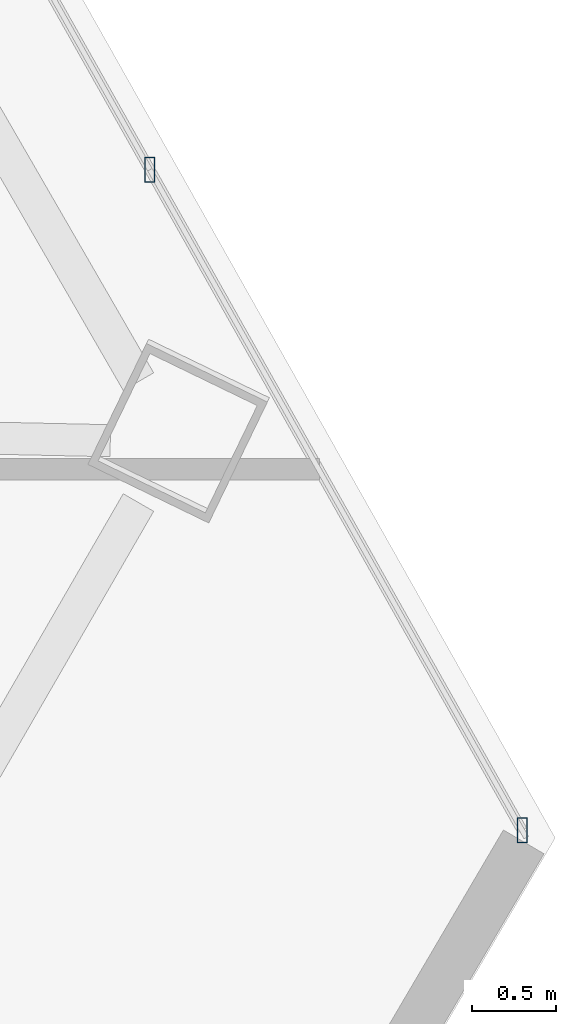
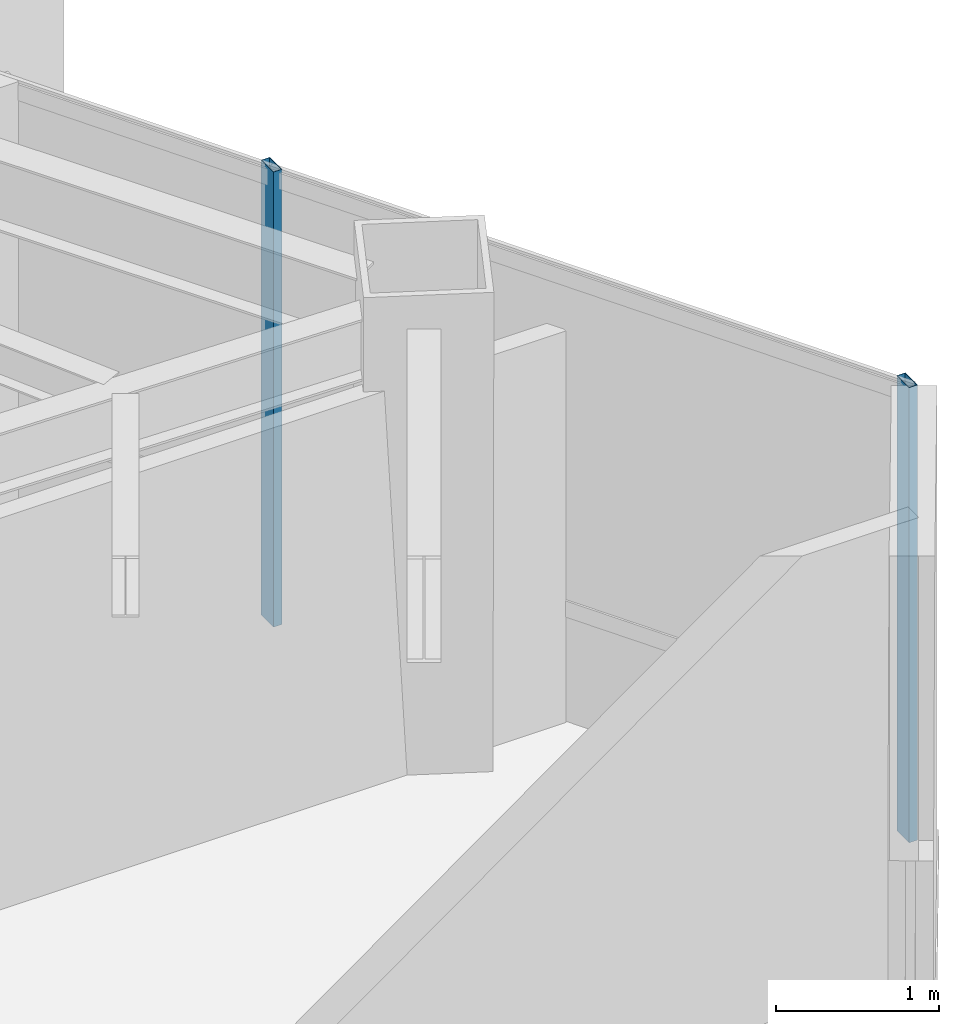
# One storey, part 22 of 42: 2 members, 1 element without a shape of its own.
"""IFC4 building model written with IfcOpenShell, lengths in metres."""

from ifc_helpers import new_model, si_unit, direction, frame, origin, origin_2d, place, context, subcontext, project, spatial, hollow_rectangle, extrude, source, transform, mapped, material, material_profile, profile_set, type_object, type_shapes, element, aggregate, save


model = new_model("IFC4")

# Units and contexts
model_context = context("Model", 3, precision=1e-05, world=origin(), true_north=direction((0.0, 1.0)))
body_context = subcontext(model_context, "Body", "Model", "MODEL_VIEW")
ifc_project = project(units=[si_unit("LENGTHUNIT", "METRE"), si_unit("AREAUNIT", "SQUARE_METRE"), si_unit("VOLUMEUNIT", "CUBIC_METRE"), si_unit("PLANEANGLEUNIT", "RADIAN"), si_unit("MASSUNIT", "GRAM", prefix="KILO")], contexts=[model_context])

# Site, building, storey
site_placement = place(None, origin())
site = spatial("IfcSite", under=ifc_project, at=site_placement, CompositionType="ELEMENT")
building_placement = place(site_placement, origin())
building = spatial("IfcBuilding", under=site, at=building_placement, Name="Caelisora Broadcast Tower", CompositionType="ELEMENT")
storey_placement = place(building_placement, frame((0.0, 0.0, 202.300048828125)))
storey = spatial("IfcBuildingStorey", under=building, at=storey_placement, Name="L53", CompositionType="ELEMENT", Elevation=202.300048828125)

# Curtain wall, members
ifc_material_1 = material(Name="Unitised Aluminium and Low-E Glass Curtain Wall", Category="glass")
curtain_wall_type = type_object("IfcCurtainWallType", Name="CW-Z4", PredefinedType="NOTDEFINED", material=ifc_material_1)
curtain_wall_placement = place(storey_placement, origin())
curtain_wall = element("IfcCurtainWall", 1, at=curtain_wall_placement, inside=storey, type_object=curtain_wall_type, Name="L53 curtain wall CW-Z4", PredefinedType="NOTDEFINED")
ifc_material_2 = material(Name="Aluminium 6063-T6 Anodised Terracotta Bronze", Category="aluminium")
ifc_material_profile = material_profile(ifc_material_2, hollow_rectangle(XDim=0.06005859375, YDim=0.14990234375, WallThickness=0.00341796875, at=origin_2d()), Name="Aluminium 6063-T6 Anodised Terracotta Bronze")
ifc_profile_set = profile_set([ifc_material_profile], Name="Aluminium 6063-T6 Anodised Terracotta Bronze")
member_type = type_object("IfcMemberType", Name="CWM-03", PredefinedType="MULLION", material=ifc_profile_set)
shared_shape = source(origin(), body_context, "Body", "SweptSolid", [
    extrude(hollow_rectangle(XDim=0.06005859375, YDim=0.14990234375, WallThickness=0.00341796875, at=origin_2d()), origin(), (0.0, 0.0, 1.0), 3.39990234375),
])
type_shapes(member_type, [shared_shape])
member_1_placement = place(storey_placement, frame((59.945556640625, 18.704345703125, 0.0), z_axis=(0.0, 0.0, 1.0), x_axis=(1.0, 0.0, 0.0)))
member_1 = element("IfcMember", 2, at=member_1_placement, type_object=member_type, Name="L53-CW-B03 mullion #2", PredefinedType="MULLION", context=body_context, shape_type="MappedRepresentation", body=[
    mapped(shared_shape, transform((0.0, 0.0, 0.0), scale=1.0)),
])
member_2_placement = place(storey_placement, frame((62.16357421875, 14.7685546875, 0.0), z_axis=(0.0, 0.0, 1.0), x_axis=(1.0, 0.0, 0.0)))
member_2 = element("IfcMember", 3, at=member_2_placement, type_object=member_type, Name="L53-CW-B03 mullion #3", PredefinedType="MULLION", context=body_context, shape_type="MappedRepresentation", body=[
    mapped(shared_shape, transform((0.0, 0.0, 0.0), scale=1.0)),
])
aggregate(curtain_wall, [member_1, member_2])

save(model, "model.ifc")
